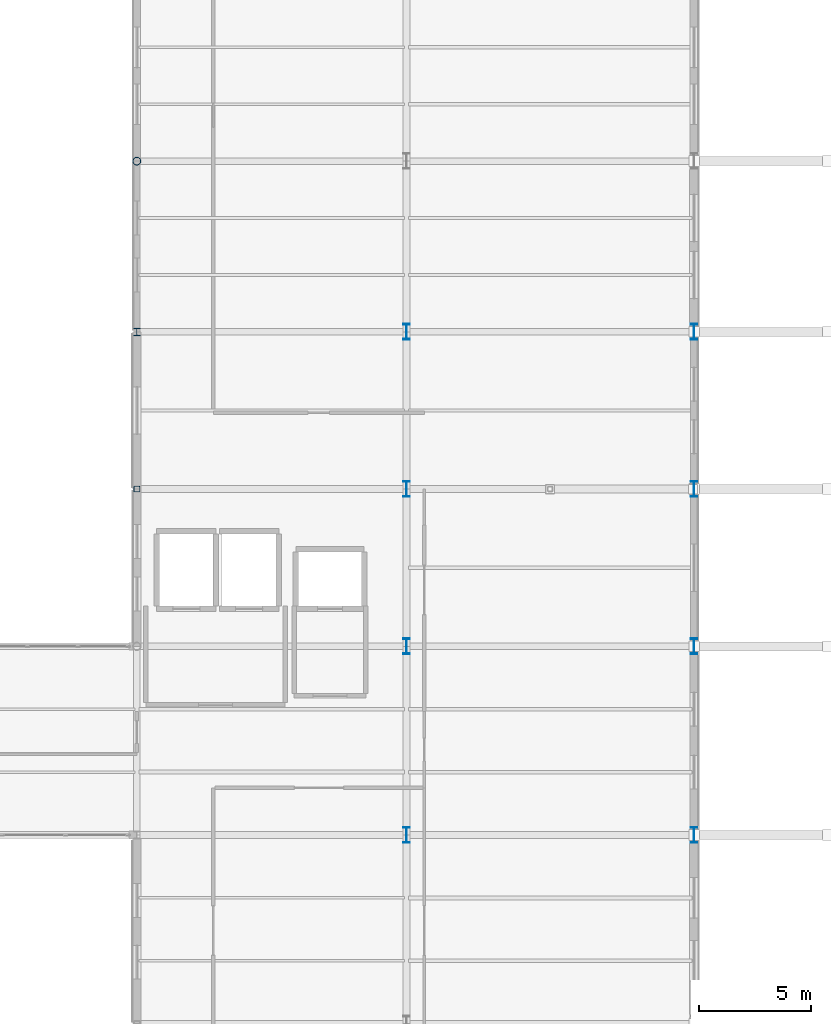
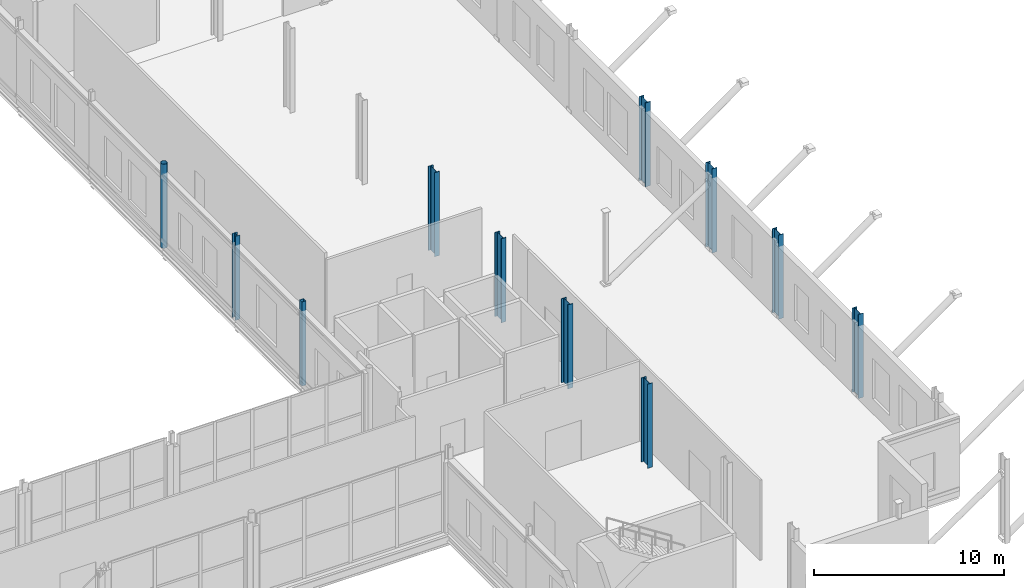
# One storey, part 19 of 147: 11 columns.
"""IFC4 building model written with IfcOpenShell, lengths in metres."""

from ifc_helpers import new_model, si_unit, direction, frame, origin, origin_2d, place, context, subcontext, project, spatial, hollow_rectangle, hollow_circle, i_section, extrude, material, material_profile, profile_set, type_object, element, save


model = new_model("IFC4")

# Units and contexts
model_context = context("Model", 3, precision=1e-05, world=origin(), true_north=direction((0.0, 1.0)))
body_context = subcontext(model_context, "Body", "Model", "MODEL_VIEW")
ifc_project = project(units=[si_unit("LENGTHUNIT", "METRE"), si_unit("AREAUNIT", "SQUARE_METRE"), si_unit("VOLUMEUNIT", "CUBIC_METRE"), si_unit("PLANEANGLEUNIT", "RADIAN"), si_unit("MASSUNIT", "GRAM", prefix="KILO")], contexts=[model_context])

# Site, building, storey
site_placement = place(None, origin())
site = spatial("IfcSite", under=ifc_project, at=site_placement, CompositionType="ELEMENT")
building_placement = place(site_placement, origin())
building = spatial("IfcBuilding", under=site, at=building_placement, Name="Vekula Escarpment Museum", CompositionType="ELEMENT")
storey_placement = place(building_placement, frame((0.0, 0.0, 7.800048828125)))
storey = spatial("IfcBuildingStorey", under=building, at=storey_placement, Name="L02", CompositionType="ELEMENT", Elevation=7.800048828125)

# Columns
ifc_material_1 = material(Name="Steel S355", Category="steel")
ifc_material_profile_1 = material_profile(ifc_material_1, hollow_circle(Radius=0.177734375, WallThickness=0.01611328125, at=origin_2d()), Name="CHS 355.6x16")
ifc_profile_set_1 = profile_set([ifc_material_profile_1], Name="Steel S355")
column_type_1 = type_object("IfcColumnType", Name="COL-S-CHS355", PredefinedType="COLUMN", material=ifc_profile_set_1)
column_1_placement = place(storey_placement, frame((167.0, 98.0, 0.0), z_axis=(0.0, 0.0, 1.0), x_axis=(1.0, 0.0, 0.0)))
element("IfcColumn", 1, at=column_1_placement, inside=storey, type_object=column_type_1, Name="Column L02 (167.0,98.0)", PredefinedType="COLUMN", context=body_context, shape_type="SweptSolid", body=[
    extrude(hollow_circle(Radius=0.177734375, WallThickness=0.01611328125, at=origin_2d()), origin(), (0.0, 0.0, 1.0), 5.39990234375),
])
ifc_material_2 = material(Name="Steel S355", Category="steel")
ifc_material_profile_2 = material_profile(ifc_material_2, i_section(OverallWidth=0.300048828125, OverallDepth=0.330078125, WebThickness=0.009521484375, FlangeThickness=0.0166015625, FilletRadius=0.027099609375, at=origin_2d()), Name="HEA 340")
ifc_profile_set_2 = profile_set([ifc_material_profile_2], Name="Steel S355")
column_type_2 = type_object("IfcColumnType", Name="COL-S-HEA340", PredefinedType="COLUMN", material=ifc_profile_set_2)
column_2_placement = place(storey_placement, frame((167.0, 90.39990234375, 0.0), z_axis=(0.0, 0.0, 1.0), x_axis=(1.0, 0.0, 0.0)))
element("IfcColumn", 2, at=column_2_placement, inside=storey, type_object=column_type_2, Name="Column L02 (167.0,90.4)", PredefinedType="COLUMN", context=body_context, shape_type="SweptSolid", body=[
    extrude(i_section(OverallWidth=0.300048828125, OverallDepth=0.330078125, WebThickness=0.009521484375, FlangeThickness=0.0166015625, FilletRadius=0.027099609375, at=origin_2d()), origin(), (0.0, 0.0, 1.0), 5.39990234375),
])
ifc_material_3 = material(Name="Steel S355", Category="steel")
ifc_material_profile_3 = material_profile(ifc_material_3, i_section(OverallWidth=0.300048828125, OverallDepth=0.699951171875, WebThickness=0.01708984375, FlangeThickness=0.031982421875, FilletRadius=0.027099609375, at=origin_2d()), Name="HEB 700")
ifc_profile_set_3 = profile_set([ifc_material_profile_3], Name="Steel S355")
column_type_3 = type_object("IfcColumnType", Name="COL-S-HEB700", PredefinedType="COLUMN", material=ifc_profile_set_3)
for number, where, z_axis, x_axis, name in (
    (3, (179.0, 68.0, 0.0), (0.0, 0.0, 1.0), (1.0, 0.0, 0.0), "Column L02 (179.0,68.0)"),
    (4, (179.0, 76.39990234375, 0.0), (0.0, 0.0, 1.0), (1.0, 0.0, 0.0), "Column L02 (179.0,76.4)"),
    (5, (179.0, 83.39990234375, 0.0), (0.0, 0.0, 1.0), (1.0, 0.0, 0.0), "Column L02 (179.0,83.4)"),
    (6, (179.0, 90.39990234375, 0.0), (0.0, 0.0, 1.0), (1.0, 0.0, 0.0), "Column L02 (179.0,90.4)"),
    (7, (191.800048828125, 68.0, 0.0), (0.0, 0.0, 1.0), (1.0, 0.0, 0.0), "Column L02 (191.8,68.0)"),
    (8, (191.800048828125, 76.39990234375, 0.0), (0.0, 0.0, 1.0), (1.0, 0.0, 0.0), "Column L02 (191.8,76.4)"),
    (9, (191.800048828125, 83.39990234375, 0.0), (0.0, 0.0, 1.0), (1.0, 0.0, 0.0), "Column L02 (191.8,83.4)"),
    (10, (191.800048828125, 90.39990234375, 0.0), (0.0, 0.0, 1.0), (1.0, 0.0, 0.0), "Column L02 (191.8,90.4)"),
):
    element("IfcColumn", number, at=place(storey_placement, frame(where, z_axis=z_axis, x_axis=x_axis)), inside=storey, type_object=column_type_3, Name=name, PredefinedType="COLUMN", context=body_context, shape_type="SweptSolid", body=[
        extrude(i_section(OverallWidth=0.300048828125, OverallDepth=0.699951171875, WebThickness=0.01708984375, FlangeThickness=0.031982421875, FilletRadius=0.027099609375, at=origin_2d()), origin(), (0.0, 0.0, 1.0), 5.39990234375),
    ])
ifc_material_4 = material(Name="Steel S355", Category="steel")
ifc_material_profile_4 = material_profile(ifc_material_4, hollow_rectangle(XDim=0.260009765625, YDim=0.260009765625, WallThickness=0.012451171875, InnerFilletRadius=0.012451171875, OuterFilletRadius=0.02490234375, at=origin_2d()), Name="SHS 260x260x12.5")
ifc_profile_set_4 = profile_set([ifc_material_profile_4], Name="Steel S355")
column_type_4 = type_object("IfcColumnType", Name="COL-S-SHS260", PredefinedType="COLUMN", material=ifc_profile_set_4)
column_3_placement = place(storey_placement, frame((167.0, 83.39990234375, 0.0), z_axis=(0.0, 0.0, 1.0), x_axis=(1.0, 0.0, 0.0)))
element("IfcColumn", 11, at=column_3_placement, inside=storey, type_object=column_type_4, Name="Column L02 (167.0,83.4)", PredefinedType="COLUMN", context=body_context, shape_type="SweptSolid", body=[
    extrude(hollow_rectangle(XDim=0.260009765625, YDim=0.260009765625, WallThickness=0.012451171875, InnerFilletRadius=0.012451171875, OuterFilletRadius=0.02490234375, at=origin_2d()), origin(), (0.0, 0.0, 1.0), 5.39990234375),
])

save(model, "model.ifc")
